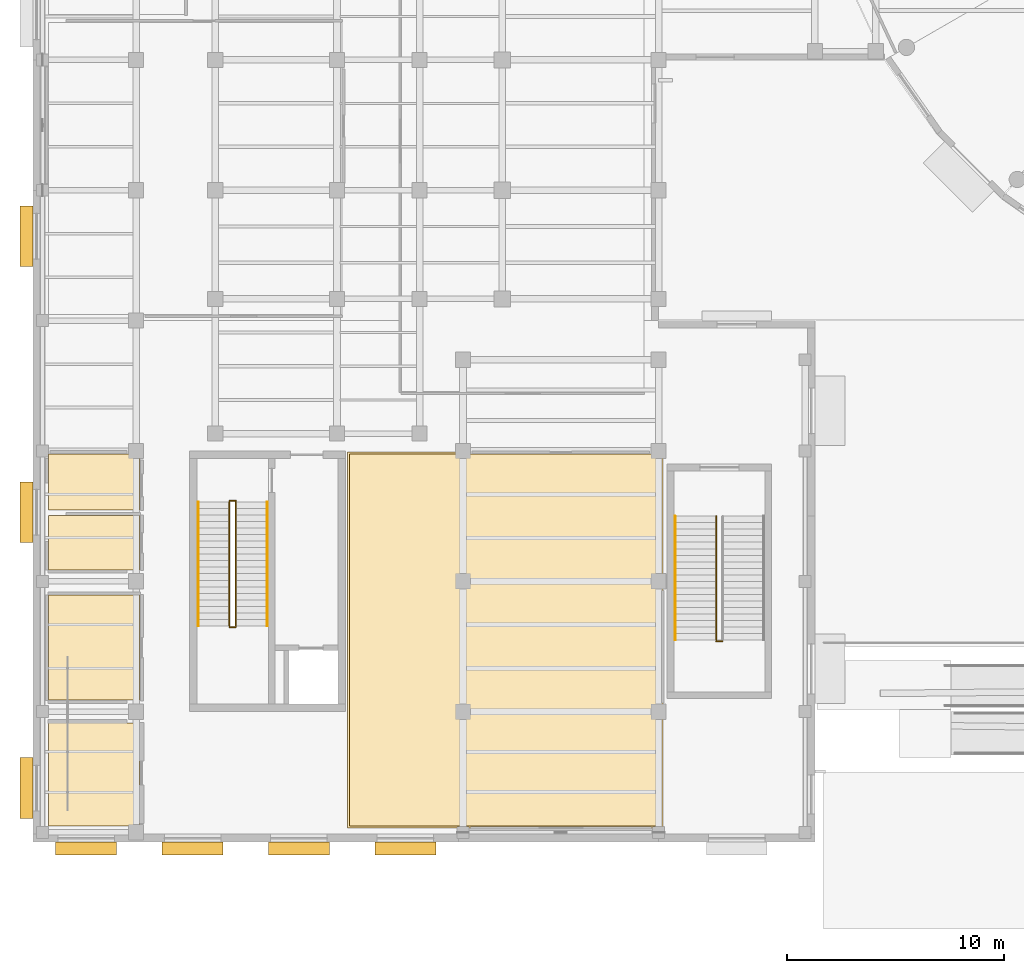
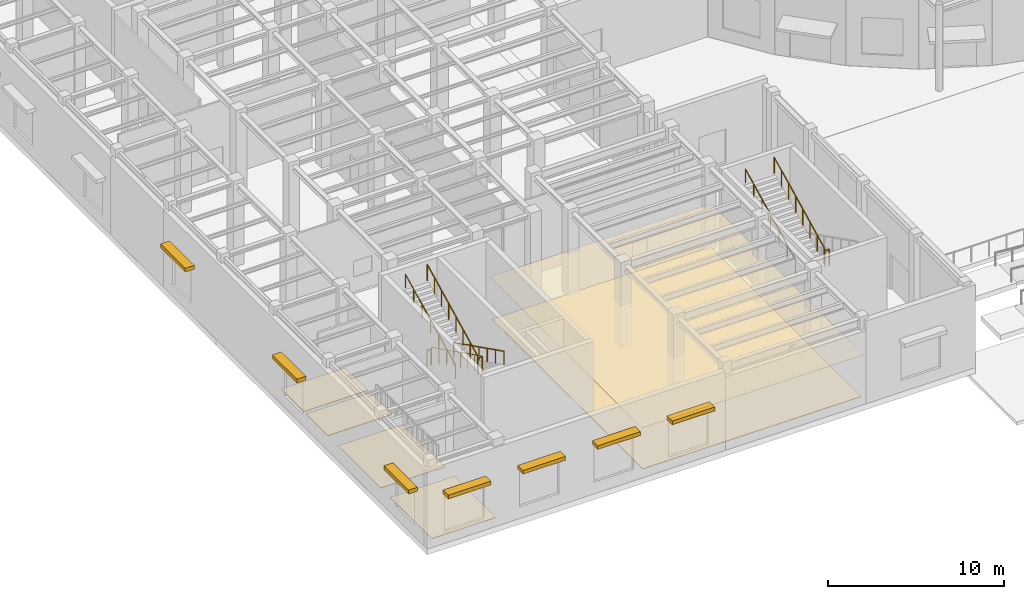
# One storey, part 99 of 118: 9 railings, 7 shading devices, 6 coverings, 2 elements without a shape of their own.
"""IFC4 building model written with IfcOpenShell, lengths in metres."""

from ifc_helpers import new_model, si_unit, direction, frame, origin, origin_2d, place, context, subcontext, project, spatial, polyline, rectangle, circle, outline, extrude, material, layer, layer_set, type_object, element, aggregate, save


model = new_model("IFC4")

# Units and contexts
model_context = context("Model", 3, precision=1e-05, world=origin(), true_north=direction((0.0, 1.0)))
body_context = subcontext(model_context, "Body", "Model", "MODEL_VIEW")
ifc_project = project(units=[si_unit("LENGTHUNIT", "METRE"), si_unit("AREAUNIT", "SQUARE_METRE"), si_unit("VOLUMEUNIT", "CUBIC_METRE"), si_unit("PLANEANGLEUNIT", "RADIAN"), si_unit("MASSUNIT", "GRAM", prefix="KILO")], contexts=[model_context])

# Site, building, storey
site_placement = place(None, origin())
site = spatial("IfcSite", under=ifc_project, at=site_placement, CompositionType="ELEMENT")
building_placement = place(site_placement, origin())
building = spatial("IfcBuilding", under=site, at=building_placement, Name="Kolvaren Corner Interchange", CompositionType="ELEMENT")
storey_placement = place(building_placement, origin())
storey = spatial("IfcBuildingStorey", under=building, at=storey_placement, Name="L01", CompositionType="ELEMENT", Elevation=0.0)

# Coverings
ifc_material_1 = material(Name="Moisture-Resistant Perforated Gypsum Ceiling")
ifc_layer_1 = layer(ifc_material_1, 0.028076171875)
ifc_layer_set_1 = layer_set([ifc_layer_1], Name="Moisture-Resistant Perforated Gypsum Ceiling")
covering_type_1 = type_object("IfcCoveringType", Name="COV-CEIL-GYP28", PredefinedType="CEILING", material=ifc_layer_set_1)
covering_1_placement = place(storey_placement, frame((0.0, 0.0, 2.922119140625)))
element("IfcCovering", 1, at=covering_1_placement, inside=storey, type_object=covering_type_1, Name="L01 Passenger Service Centre Suspended Ceiling", PredefinedType="CEILING", context=body_context, shape_type="SweptSolid", body=[
    extrude(outline(polyline([(14.47998046875, 0.64990234375), (29.015380859375, 0.63720703125), (29.0126953125, 17.965576171875), (14.484619140625, 17.962646484375), (14.47998046875, 0.64990234375)])), origin(), (0.0, 0.0, 1.0), 0.02783203125),
])
ifc_material_2 = material(Name="Polished Niger Delta Granite Terrazzo Flooring", Category="masonry")
ifc_layer_2 = layer(ifc_material_2, 0.030029296875)
ifc_layer_set_2 = layer_set([ifc_layer_2], Name="Polished Niger Delta Granite Terrazzo Flooring")
covering_type_2 = type_object("IfcCoveringType", Name="COV-FLR-TER30", PredefinedType="FLOORING", material=ifc_layer_set_2)
covering_2_placement = place(storey_placement, origin())
element("IfcCovering", 2, at=covering_2_placement, inside=storey, type_object=covering_type_2, Name="L01 Passenger Service Centre Floor Finish", PredefinedType="FLOORING", context=body_context, shape_type="SweptSolid", body=[
    extrude(outline(polyline([(14.580078125, 0.72998046875), (28.919921875, 0.72998046875), (28.919921875, 17.8701171875), (14.580078125, 17.8701171875), (14.580078125, 0.72998046875)])), origin(), (0.0, 0.0, 1.0), 0.030029296875),
])
covering_3_placement = place(storey_placement, origin())
element("IfcCovering", 3, at=covering_3_placement, inside=storey, type_object=covering_type_2, Name="L01 Fire Command Centre Floor Finish", PredefinedType="FLOORING", context=body_context, shape_type="SweptSolid", body=[
    extrude(outline(polyline([(0.72998046875, 0.72998046875), (4.93994140625, 0.72998046875), (4.93994140625, 5.469970703125), (0.72998046875, 5.469970703125), (0.72998046875, 0.72998046875)])), origin(), (0.0, 0.0, 1.0), 0.030029296875),
])
covering_4_placement = place(storey_placement, origin())
element("IfcCovering", 4, at=covering_4_placement, inside=storey, type_object=covering_type_2, Name="L01 Male WC Floor Finish", PredefinedType="FLOORING", context=body_context, shape_type="SweptSolid", body=[
    extrude(outline(polyline([(0.72998046875, 6.530029296875), (4.93994140625, 6.530029296875), (4.93994140625, 11.3701171875), (0.72998046875, 11.3701171875), (0.72998046875, 6.530029296875)])), origin(), (0.0, 0.0, 1.0), 0.030029296875),
])
covering_5_placement = place(storey_placement, origin())
element("IfcCovering", 5, at=covering_5_placement, inside=storey, type_object=covering_type_2, Name="L01 Female WC Floor Finish", PredefinedType="FLOORING", context=body_context, shape_type="SweptSolid", body=[
    extrude(outline(polyline([(0.72998046875, 12.530029296875), (4.93994140625, 12.530029296875), (4.93994140625, 15.02001953125), (0.72998046875, 15.02001953125), (0.72998046875, 12.530029296875)])), origin(), (0.0, 0.0, 1.0), 0.030029296875),
])
covering_6_placement = place(storey_placement, origin())
element("IfcCovering", 6, at=covering_6_placement, inside=storey, type_object=covering_type_2, Name="L01 Accessible WC Floor Finish", PredefinedType="FLOORING", context=body_context, shape_type="SweptSolid", body=[
    extrude(outline(polyline([(0.72998046875, 15.280029296875), (4.93994140625, 15.280029296875), (4.93994140625, 17.8701171875), (0.72998046875, 17.8701171875), (0.72998046875, 15.280029296875)])), origin(), (0.0, 0.0, 1.0), 0.030029296875),
])

# Railing
ifc_material_3 = material(Name="Powder-Coated Steel Stairwell Guardrail", Category="steel")
railing_type_1 = type_object("IfcRailingType", Name="RLT-STAIR-GRD1120", PredefinedType="GUARDRAIL", material=ifc_material_3)
railing_1_placement = place(storey_placement, frame((9.340087890625, 15.7099609375, 0.0)))
element("IfcRailing", 7, at=railing_1_placement, inside=storey, type_object=railing_type_1, Name="Core C1 Southwest Firefighting Stair L01 Landing Edge Guardrail", PredefinedType="GUARDRAIL", context=body_context, shape_type="SweptSolid", body=[
    extrude(circle(Radius=0.02392578125, at=origin_2d()), frame((0.0, 0.0, 1.09619140625), z_axis=(-1.0, 0.0, 0.0), x_axis=(0.0, -1.0, 0.0)), (0.0, 0.0, 1.0), 0.280029296875),
    extrude(circle(Radius=0.02001953125, at=origin_2d()), origin(), (0.0, 0.0, 1.0), 1.072021484375),
    extrude(circle(Radius=0.02001953125, at=origin_2d()), frame((-0.280029296875, 0.0, 0.0)), (0.0, 0.0, 1.0), 1.072021484375),
])

# Stair, railings
ifc_material_4 = material(Name="Concrete C35/45", Category="concrete")
stair_type_1 = type_object("IfcStairType", Name="ST-FF-1550", PredefinedType="HALF_TURN_STAIR", material=ifc_material_4)
stair_1_placement = place(storey_placement, origin())
stair_1 = element("IfcStair", 8, at=stair_1_placement, inside=storey, type_object=stair_type_1, Name="Core C1 Southwest Firefighting Stair L01 to L02 Stair", PredefinedType="HALF_TURN_STAIR")
railing_2_placement = place(storey_placement, frame((9.35009765625, 15.64990234375, 0.14990234375)))
railing_2 = element("IfcRailing", 9, at=railing_2_placement, type_object=railing_type_1, Name="Core C1 Southwest Firefighting Stair L01 Lower Flight Well Guardrail", PredefinedType="GUARDRAIL", context=body_context, shape_type="SweptSolid", body=[
    extrude(circle(Radius=0.02392578125, at=origin_2d()), frame((0.0, 0.0, 1.09619140625), z_axis=(0.0, -0.894419528903, 0.447228919365), x_axis=(1.0, 0.0, 0.0)), (0.0, 0.0, 1.0), 6.372802734375),
    extrude(circle(Radius=0.02001953125, at=origin_2d()), origin(), (0.0, 0.0, 1.0), 1.072021484375),
    extrude(circle(Radius=0.02001953125, at=origin_2d()), frame((0.0, -0.814208984375, 0.4072265625)), (0.0, 0.0, 1.0), 1.072021484375),
    extrude(circle(Radius=0.02001953125, at=origin_2d()), frame((0.0, -1.628662109375, 0.814208984375)), (0.0, 0.0, 1.0), 1.072021484375),
    extrude(circle(Radius=0.02001953125, at=origin_2d()), frame((0.0, -2.44287109375, 1.221435546875)), (0.0, 0.0, 1.0), 1.072021484375),
    extrude(circle(Radius=0.02001953125, at=origin_2d()), frame((0.0, -3.257080078125, 1.628662109375)), (0.0, 0.0, 1.0), 1.072021484375),
    extrude(circle(Radius=0.02001953125, at=origin_2d()), frame((0.0, -4.0712890625, 2.035888671875)), (0.0, 0.0, 1.0), 1.072021484375),
    extrude(circle(Radius=0.02001953125, at=origin_2d()), frame((0.0, -4.8857421875, 2.44287109375)), (0.0, 0.0, 1.0), 1.072021484375),
    extrude(circle(Radius=0.02001953125, at=origin_2d()), frame((0.0, -5.699951171875, 2.85009765625)), (0.0, 0.0, 1.0), 1.072021484375),
])
railing_3_placement = place(storey_placement, frame((9.340087890625, 9.889892578125, 3.0)))
railing_3 = element("IfcRailing", 10, at=railing_3_placement, type_object=railing_type_1, Name="Core C1 Southwest Firefighting Stair L01 Half Landing Well Guardrail", PredefinedType="GUARDRAIL", context=body_context, shape_type="SweptSolid", body=[
    extrude(circle(Radius=0.02392578125, at=origin_2d()), frame((0.0, 0.0, 1.09619140625), z_axis=(-1.0, 0.0, 0.0), x_axis=(0.0, -1.0, 0.0)), (0.0, 0.0, 1.0), 0.280029296875),
    extrude(circle(Radius=0.02001953125, at=origin_2d()), origin(), (0.0, 0.0, 1.0), 1.072021484375),
    extrude(circle(Radius=0.02001953125, at=origin_2d()), frame((-0.280029296875, 0.0, 0.0)), (0.0, 0.0, 1.0), 1.072021484375),
])
railing_4_placement = place(storey_placement, frame((9.050048828125, 9.949951171875, 3.14990234375)))
railing_4 = element("IfcRailing", 11, at=railing_4_placement, type_object=railing_type_1, Name="Core C1 Southwest Firefighting Stair L01 Upper Flight Well Guardrail", PredefinedType="GUARDRAIL", context=body_context, shape_type="SweptSolid", body=[
    extrude(circle(Radius=0.02392578125, at=origin_2d()), frame((0.0, 0.0, 1.09619140625), z_axis=(0.0, 0.894419528903, 0.447228919365), x_axis=(-1.0, 0.0, 0.0)), (0.0, 0.0, 1.0), 6.372802734375),
    extrude(circle(Radius=0.02001953125, at=origin_2d()), origin(), (0.0, 0.0, 1.0), 1.072021484375),
    extrude(circle(Radius=0.02001953125, at=origin_2d()), frame((0.0, 0.814208984375, 0.4072265625)), (0.0, 0.0, 1.0), 1.072021484375),
    extrude(circle(Radius=0.02001953125, at=origin_2d()), frame((0.0, 1.628662109375, 0.814208984375)), (0.0, 0.0, 1.0), 1.072021484375),
    extrude(circle(Radius=0.02001953125, at=origin_2d()), frame((0.0, 2.44287109375, 1.221435546875)), (0.0, 0.0, 1.0), 1.072021484375),
    extrude(circle(Radius=0.02001953125, at=origin_2d()), frame((0.0, 3.257080078125, 1.628662109375)), (0.0, 0.0, 1.0), 1.072021484375),
    extrude(circle(Radius=0.02001953125, at=origin_2d()), frame((0.0, 4.0712890625, 2.035888671875)), (0.0, 0.0, 1.0), 1.072021484375),
    extrude(circle(Radius=0.02001953125, at=origin_2d()), frame((0.0, 4.8857421875, 2.44287109375)), (0.0, 0.0, 1.0), 1.072021484375),
    extrude(circle(Radius=0.02001953125, at=origin_2d()), frame((0.0, 5.699951171875, 2.85009765625)), (0.0, 0.0, 1.0), 1.072021484375),
])

ifc_material_5 = material(Name="Concrete C35/45", Category="concrete")
stair_type_2 = type_object("IfcStairType", Name="ST-GL-2000", PredefinedType="HALF_TURN_STAIR", material=ifc_material_5)
stair_2_placement = place(storey_placement, origin())
stair_2 = element("IfcStair", 12, at=stair_2_placement, inside=storey, type_object=stair_type_2, Name="Operations South Bar Protected Exit Stair L01 to L02 Stair", PredefinedType="HALF_TURN_STAIR")
railing_5_placement = place(storey_placement, frame((31.739990234375, 9.239990234375, 3.0)))
railing_5 = element("IfcRailing", 13, at=railing_5_placement, type_object=railing_type_1, Name="Operations South Bar Protected Exit Stair L01 Half Landing Well Guardrail", PredefinedType="GUARDRAIL", context=body_context, shape_type="SweptSolid", body=[
    extrude(circle(Radius=0.02392578125, at=origin_2d()), frame((0.0, 0.0, 1.09619140625), z_axis=(-1.0, 0.0, 0.0), x_axis=(0.0, -1.0, 0.0)), (0.0, 0.0, 1.0), 0.280029296875),
    extrude(circle(Radius=0.02001953125, at=origin_2d()), origin(), (0.0, 0.0, 1.0), 1.072021484375),
    extrude(circle(Radius=0.02001953125, at=origin_2d()), frame((-0.280029296875, 0.0, 0.0)), (0.0, 0.0, 1.0), 1.072021484375),
])
railing_6_placement = place(storey_placement, frame((31.449951171875, 9.300048828125, 3.14990234375)))
railing_6 = element("IfcRailing", 14, at=railing_6_placement, type_object=railing_type_1, Name="Operations South Bar Protected Exit Stair L01 Upper Flight Well Guardrail", PredefinedType="GUARDRAIL", context=body_context, shape_type="SweptSolid", body=[
    extrude(circle(Radius=0.02392578125, at=origin_2d()), frame((0.0, 0.0, 1.09619140625), z_axis=(0.0, 0.894419528903, 0.447228919365), x_axis=(-1.0, 0.0, 0.0)), (0.0, 0.0, 1.0), 6.372802734375),
    extrude(circle(Radius=0.02001953125, at=origin_2d()), origin(), (0.0, 0.0, 1.0), 1.072021484375),
    extrude(circle(Radius=0.02001953125, at=origin_2d()), frame((0.0, 0.814208984375, 0.4072265625)), (0.0, 0.0, 1.0), 1.072021484375),
    extrude(circle(Radius=0.02001953125, at=origin_2d()), frame((0.0, 1.628662109375, 0.814208984375)), (0.0, 0.0, 1.0), 1.072021484375),
    extrude(circle(Radius=0.02001953125, at=origin_2d()), frame((0.0, 2.44287109375, 1.221435546875)), (0.0, 0.0, 1.0), 1.072021484375),
    extrude(circle(Radius=0.02001953125, at=origin_2d()), frame((0.0, 3.257080078125, 1.628662109375)), (0.0, 0.0, 1.0), 1.072021484375),
    extrude(circle(Radius=0.02001953125, at=origin_2d()), frame((0.0, 4.0712890625, 2.035888671875)), (0.0, 0.0, 1.0), 1.072021484375),
    extrude(circle(Radius=0.02001953125, at=origin_2d()), frame((0.0, 4.8857421875, 2.44287109375)), (0.0, 0.0, 1.0), 1.072021484375),
    extrude(circle(Radius=0.02001953125, at=origin_2d()), frame((0.0, 5.699951171875, 2.85009765625)), (0.0, 0.0, 1.0), 1.072021484375),
])

# Railing
ifc_material_6 = material(Name="Brushed Stainless Steel Stair Handrail", Category="steel")
railing_type_2 = type_object("IfcRailingType", Name="RLT-STAIR-HR950", PredefinedType="HANDRAIL", material=ifc_material_6)
railing_7_placement = place(storey_placement, frame((10.7900390625, 15.64990234375, 0.14990234375)))
railing_7 = element("IfcRailing", 15, at=railing_7_placement, type_object=railing_type_2, Name="Core C1 Southwest Firefighting Stair L01 Lower Flight Wall Handrail", PredefinedType="HANDRAIL", context=body_context, shape_type="SweptSolid", body=[
    extrude(circle(Radius=0.02197265625, at=origin_2d()), frame((0.0, 0.0, 0.927978515625), z_axis=(0.0, -0.894419528903, 0.447228919365), x_axis=(1.0, 0.0, 0.0)), (0.0, 0.0, 1.0), 6.372802734375),
    extrude(circle(Radius=0.01806640625, at=origin_2d()), origin(), (0.0, 0.0, 1.0), 0.906005859375),
    extrude(circle(Radius=0.01806640625, at=origin_2d()), frame((0.0, -0.949951171875, 0.47509765625)), (0.0, 0.0, 1.0), 0.906005859375),
    extrude(circle(Radius=0.01806640625, at=origin_2d()), frame((0.0, -1.89990234375, 0.949951171875)), (0.0, 0.0, 1.0), 0.906005859375),
    extrude(circle(Radius=0.01806640625, at=origin_2d()), frame((0.0, -2.85009765625, 1.425048828125)), (0.0, 0.0, 1.0), 0.906005859375),
    extrude(circle(Radius=0.01806640625, at=origin_2d()), frame((0.0, -3.800048828125, 1.900146484375)), (0.0, 0.0, 1.0), 0.906005859375),
    extrude(circle(Radius=0.01806640625, at=origin_2d()), frame((0.0, -4.75, 2.375)), (0.0, 0.0, 1.0), 0.906005859375),
    extrude(circle(Radius=0.01806640625, at=origin_2d()), frame((0.0, -5.699951171875, 2.85009765625)), (0.0, 0.0, 1.0), 0.906005859375),
])

railing_8_placement = place(storey_placement, frame((7.610107421875, 9.949951171875, 3.14990234375)))
railing_8 = element("IfcRailing", 16, at=railing_8_placement, type_object=railing_type_2, Name="Core C1 Southwest Firefighting Stair L01 Upper Flight Wall Handrail", PredefinedType="HANDRAIL", context=body_context, shape_type="SweptSolid", body=[
    extrude(circle(Radius=0.02197265625, at=origin_2d()), frame((0.0, 0.0, 0.927978515625), z_axis=(0.0, 0.894419528903, 0.447228919365), x_axis=(-1.0, 0.0, 0.0)), (0.0, 0.0, 1.0), 6.372802734375),
    extrude(circle(Radius=0.01806640625, at=origin_2d()), origin(), (0.0, 0.0, 1.0), 0.906005859375),
    extrude(circle(Radius=0.01806640625, at=origin_2d()), frame((0.0, 0.949951171875, 0.47509765625)), (0.0, 0.0, 1.0), 0.906005859375),
    extrude(circle(Radius=0.01806640625, at=origin_2d()), frame((0.0, 1.89990234375, 0.949951171875)), (0.0, 0.0, 1.0), 0.906005859375),
    extrude(circle(Radius=0.01806640625, at=origin_2d()), frame((0.0, 2.85009765625, 1.425048828125)), (0.0, 0.0, 1.0), 0.906005859375),
    extrude(circle(Radius=0.01806640625, at=origin_2d()), frame((0.0, 3.800048828125, 1.900146484375)), (0.0, 0.0, 1.0), 0.906005859375),
    extrude(circle(Radius=0.01806640625, at=origin_2d()), frame((0.0, 4.75, 2.375)), (0.0, 0.0, 1.0), 0.906005859375),
    extrude(circle(Radius=0.01806640625, at=origin_2d()), frame((0.0, 5.699951171875, 2.85009765625)), (0.0, 0.0, 1.0), 0.906005859375),
])

aggregate(stair_1, [railing_2, railing_3, railing_4, railing_7, railing_8])

railing_9_placement = place(storey_placement, frame((29.56005859375, 9.300048828125, 3.14990234375)))
railing_9 = element("IfcRailing", 17, at=railing_9_placement, type_object=railing_type_2, Name="Operations South Bar Protected Exit Stair L01 Upper Flight Wall Handrail", PredefinedType="HANDRAIL", context=body_context, shape_type="SweptSolid", body=[
    extrude(circle(Radius=0.02197265625, at=origin_2d()), frame((0.0, 0.0, 0.927978515625), z_axis=(0.0, 0.894419528903, 0.447228919365), x_axis=(-1.0, 0.0, 0.0)), (0.0, 0.0, 1.0), 6.372802734375),
    extrude(circle(Radius=0.01806640625, at=origin_2d()), origin(), (0.0, 0.0, 1.0), 0.906005859375),
    extrude(circle(Radius=0.01806640625, at=origin_2d()), frame((0.0, 0.949951171875, 0.47509765625)), (0.0, 0.0, 1.0), 0.906005859375),
    extrude(circle(Radius=0.01806640625, at=origin_2d()), frame((0.0, 1.89990234375, 0.949951171875)), (0.0, 0.0, 1.0), 0.906005859375),
    extrude(circle(Radius=0.01806640625, at=origin_2d()), frame((0.0, 2.85009765625, 1.425048828125)), (0.0, 0.0, 1.0), 0.906005859375),
    extrude(circle(Radius=0.01806640625, at=origin_2d()), frame((0.0, 3.800048828125, 1.900146484375)), (0.0, 0.0, 1.0), 0.906005859375),
    extrude(circle(Radius=0.01806640625, at=origin_2d()), frame((0.0, 4.75, 2.375)), (0.0, 0.0, 1.0), 0.906005859375),
    extrude(circle(Radius=0.01806640625, at=origin_2d()), frame((0.0, 5.699951171875, 2.85009765625)), (0.0, 0.0, 1.0), 0.906005859375),
])

aggregate(stair_2, [railing_5, railing_6, railing_9])

# Shading devices
ifc_material_7 = material(Name="Cream Ceramic Baguette Brise-Soleil")
shading_device_type = type_object("IfcShadingDeviceType", Name="SHD-BAG-H600", PredefinedType="JALOUSIE", material=ifc_material_7)
for number, where, z_axis, x_axis, name in (
    (18, (2.449951171875, -0.300048828125, 3.47998046875), (0.0, 0.0, 1.0), (1.0, 0.0, 0.0), "L01 Ceramic Solar Shading 0001"),
    (19, (7.35009765625, -0.300048828125, 3.47998046875), (0.0, 0.0, 1.0), (1.0, 0.0, 0.0), "L01 Ceramic Solar Shading 0002"),
    (20, (12.25, -0.300048828125, 3.47998046875), (0.0, 0.0, 1.0), (1.0, 0.0, 0.0), "L01 Ceramic Solar Shading 0003"),
    (21, (17.14990234375, -0.300048828125, 3.47998046875), (0.0, 0.0, 1.0), (1.0, 0.0, 0.0), "L01 Ceramic Solar Shading 0004"),
    (22, (-0.2900390625, 27.88330078125, 3.3798828125), (0.0, 0.0, 1.0), (0.0, -1.0, 0.0), "L01 Ceramic Solar Shading 0025"),
    (23, (-0.2900390625, 15.1826171875, 3.3798828125), (0.0, 0.0, 1.0), (0.0, -1.0, 0.0), "L01 Ceramic Solar Shading 0026"),
    (24, (-0.2900390625, 2.481689453125, 3.3798828125), (0.0, 0.0, 1.0), (0.0, -1.0, 0.0), "L01 Ceramic Solar Shading 0027"),
):
    element("IfcShadingDevice", number, at=place(storey_placement, frame(where, z_axis=z_axis, x_axis=x_axis)), inside=storey, type_object=shading_device_type, Name=name, PredefinedType="JALOUSIE", context=body_context, shape_type="SweptSolid", body=[
        extrude(rectangle(XDim=2.800048828125, YDim=0.60009765625, at=origin_2d()), origin(), (0.0, 0.0, 1.0), 0.260009765625),
    ])

save(model, "model.ifc")
